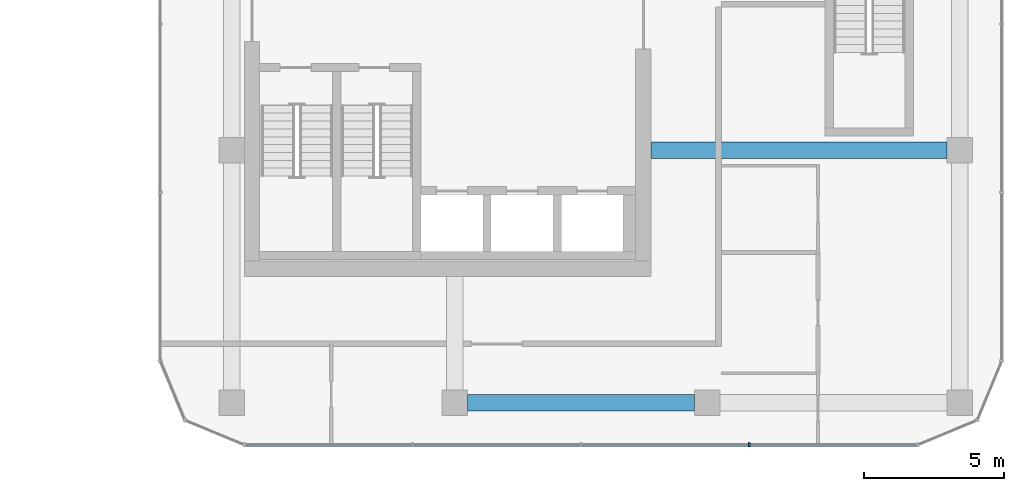
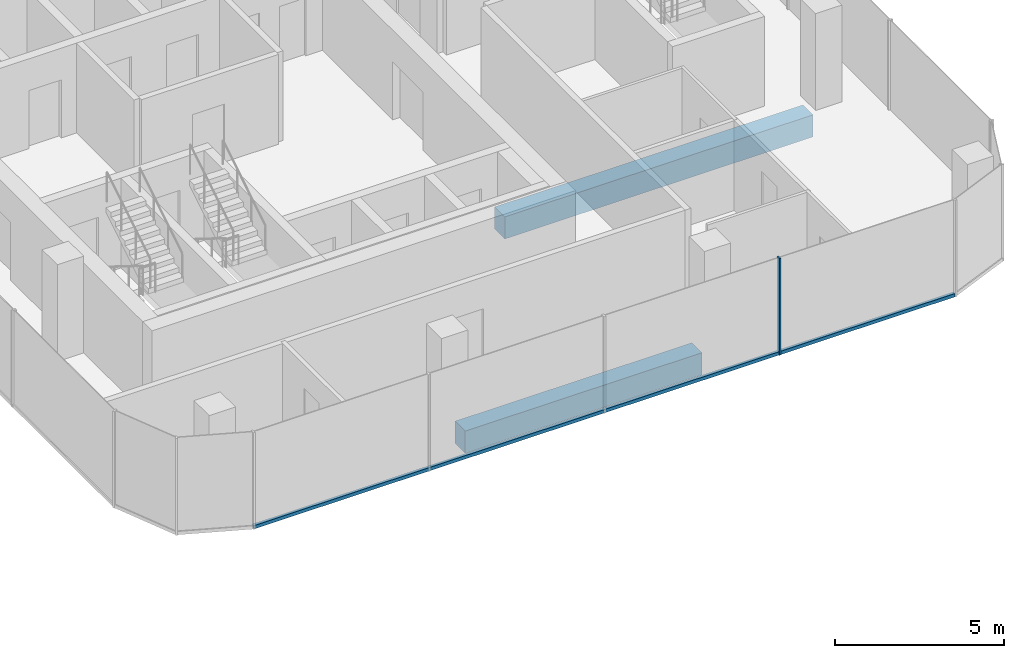
# One storey, part 8 of 23: 2 beams, 2 members, 1 element without a shape of its own.
"""IFC4 building model written with IfcOpenShell, lengths in metres."""

from ifc_helpers import new_model, si_unit, direction, frame, origin, origin_2d, place, context, subcontext, project, spatial, rectangle, extrude, material, layer, layer_set, material_profile, profile_set, type_object, element, aggregate, save


model = new_model("IFC4")

# Units and contexts
model_context = context("Model", 3, precision=1e-05, world=origin(), true_north=direction((0.0, 1.0)))
body_context = subcontext(model_context, "Body", "Model", "MODEL_VIEW")
ifc_project = project(units=[si_unit("LENGTHUNIT", "METRE"), si_unit("AREAUNIT", "SQUARE_METRE"), si_unit("VOLUMEUNIT", "CUBIC_METRE"), si_unit("PLANEANGLEUNIT", "RADIAN"), si_unit("MASSUNIT", "GRAM", prefix="KILO")], contexts=[model_context])

# Site, building, storey
site_placement = place(None, origin())
site = spatial("IfcSite", under=ifc_project, at=site_placement, CompositionType="ELEMENT")
building_placement = place(site_placement, origin())
building = spatial("IfcBuilding", under=site, at=building_placement, Name="Plateau Cross Towers", CompositionType="ELEMENT")
storey_placement = place(building_placement, frame((0.0, 0.0, 37.300048828125)))
storey = spatial("IfcBuildingStorey", under=building, at=storey_placement, Name="L08", CompositionType="ELEMENT", Elevation=37.300048828125)

# Beam
ifc_material_1 = material(Name="Concrete C60/75", Category="concrete")
ifc_material_profile_1 = material_profile(ifc_material_1, rectangle(XDim=0.60009765625, YDim=0.800048828125, at=origin_2d()), Name="RC 600x800")
ifc_profile_set_1 = profile_set([ifc_material_profile_1], Name="Concrete C60/75")
beam_type_1 = type_object("IfcBeamType", Name="Core beam RC 600x800", PredefinedType="BEAM", material=ifc_profile_set_1)
beam_1_placement = place(storey_placement, frame((89.5, 4.5, -0.650146484375), z_axis=(1.0, 0.0, 0.0), x_axis=(0.0, 1.0, 0.0)))
element("IfcBeam", 1, at=beam_1_placement, inside=storey, type_object=beam_type_1, Name="B-CB02@L08", PredefinedType="BEAM", context=body_context, shape_type="SweptSolid", body=[
    extrude(rectangle(XDim=0.60009765625, YDim=0.800048828125, at=origin_2d()), origin(), (0.0, 0.0, 1.0), 10.550048828125),
])

# Curtain wall, member
ifc_material_2 = material(Name="Dark low-iron glass", Category="glass")
ifc_layer = layer(ifc_material_2, 0.239990234375)
ifc_layer_set = layer_set([ifc_layer], Name="Dark low-iron glass")
curtain_wall_type = type_object("IfcCurtainWallType", Name="Curtain wall office unitised CW-F", PredefinedType="NOTDEFINED", material=ifc_layer_set)
curtain_wall_placement = place(storey_placement, origin())
curtain_wall = element("IfcCurtainWall", 2, at=curtain_wall_placement, inside=storey, type_object=curtain_wall_type, Name="ENV/B/L08/B750_-60", PredefinedType="NOTDEFINED")
ifc_material_3 = material(Name="Black anodised aluminium", Category="aluminium")
ifc_material_profile_2 = material_profile(ifc_material_3, rectangle(XDim=0.06005859375, YDim=0.139892578125, at=origin_2d()), Name="MULLION 60x140")
ifc_profile_set_2 = profile_set([ifc_material_profile_2], Name="Black anodised aluminium")
member_type_1 = type_object("IfcMemberType", Name="Mullion 60x140 office unitised", PredefinedType="MULLION", material=ifc_profile_set_2)
member_1_placement = place(storey_placement, frame((93.0, -6.0, -0.25), z_axis=(0.0, 0.0, 1.0), x_axis=(1.0, 0.0, 0.0)))
member_1 = element("IfcMember", 3, at=member_1_placement, type_object=member_type_1, Name="CW-F mullion 4", PredefinedType="MULLION", context=body_context, shape_type="SweptSolid", body=[
    extrude(rectangle(XDim=0.06005859375, YDim=0.139892578125, at=origin_2d()), origin(), (0.0, 0.0, 1.0), 3.5),
])

# Beam
ifc_material_profile_3 = material_profile(ifc_material_1, rectangle(XDim=0.60009765625, YDim=0.800048828125, at=origin_2d()), Name="RC 600x800")
ifc_profile_set_3 = profile_set([ifc_material_profile_3], Name="Concrete C60/75")
beam_type_2 = type_object("IfcBeamType", Name="Ring beam RC 600x800", PredefinedType="BEAM", material=ifc_profile_set_3)
beam_2_placement = place(storey_placement, frame((82.949951171875, -4.5, -0.650146484375), z_axis=(1.0, 0.0, 0.0), x_axis=(0.0, 1.0, 0.0)))
element("IfcBeam", 4, at=beam_2_placement, inside=storey, type_object=beam_type_2, Name="B-RB01@L08", PredefinedType="BEAM", context=body_context, shape_type="SweptSolid", body=[
    extrude(rectangle(XDim=0.60009765625, YDim=0.800048828125, at=origin_2d()), origin(), (0.0, 0.0, 1.0), 8.10009765625),
])

# Member
ifc_material_profile_4 = material_profile(ifc_material_3, rectangle(XDim=0.10009765625, YDim=0.1201171875, at=origin_2d()), Name="TRANSOM 100x120")
ifc_profile_set_4 = profile_set([ifc_material_profile_4], Name="Black anodised aluminium")
member_type_2 = type_object("IfcMemberType", Name="Transom 100x120 office unitised", PredefinedType="USERDEFINED", material=ifc_profile_set_4)
member_2_placement = place(storey_placement, frame((75.0, -6.0, -0.18994140625), z_axis=(1.0, 0.0, 0.0), x_axis=(0.0, 1.0, 0.0)))
member_2 = element("IfcMember", 5, at=member_2_placement, type_object=member_type_2, Name="CW-F transom", ObjectType="TRANSOM", PredefinedType="USERDEFINED", context=body_context, shape_type="SweptSolid", body=[
    extrude(rectangle(XDim=0.10009765625, YDim=0.1201171875, at=origin_2d()), origin(), (0.0, 0.0, 1.0), 24.0),
])

aggregate(curtain_wall, [member_1, member_2])

save(model, "model.ifc")
